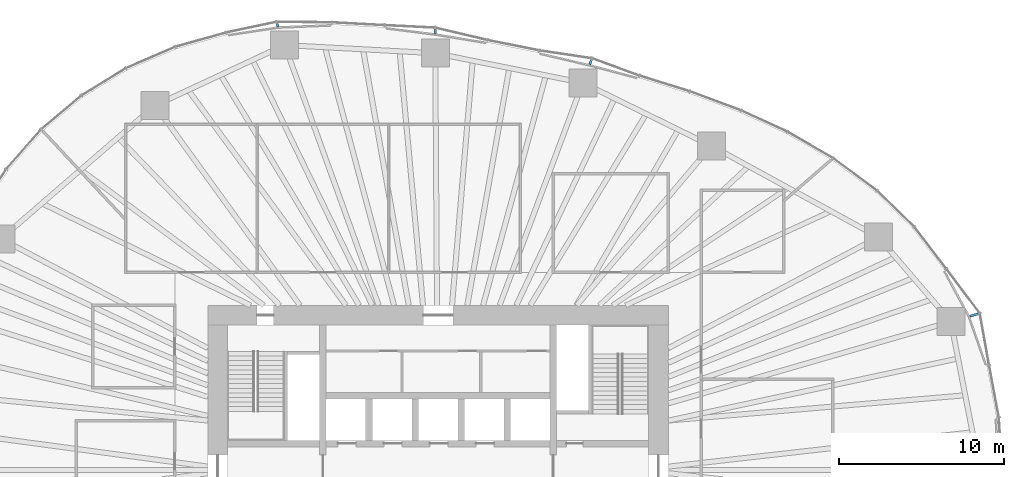
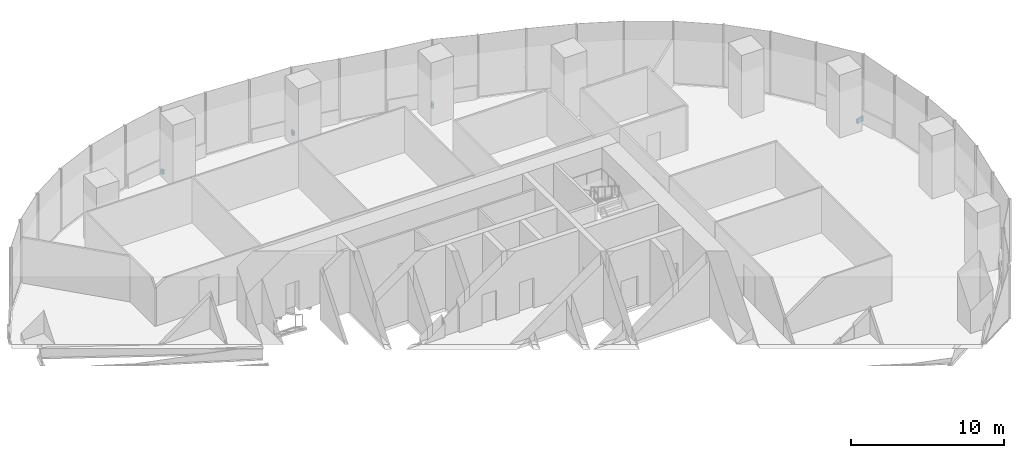
# One storey, part 15 of 20: 4 discrete accessories.
"""IFC4 building model written with IfcOpenShell, lengths in metres."""

from ifc_helpers import new_model, si_unit, direction, frame, origin, origin_2d, place, context, subcontext, project, spatial, rectangle, extrude, material, type_object, element, save


model = new_model("IFC4")

# Units and contexts
model_context = context("Model", 3, precision=1e-05, world=origin(), true_north=direction((0.0, 1.0)))
body_context = subcontext(model_context, "Body", "Model", "MODEL_VIEW")
ifc_project = project(units=[si_unit("LENGTHUNIT", "METRE"), si_unit("AREAUNIT", "SQUARE_METRE"), si_unit("VOLUMEUNIT", "CUBIC_METRE"), si_unit("PLANEANGLEUNIT", "RADIAN"), si_unit("MASSUNIT", "GRAM", prefix="KILO")], contexts=[model_context])

# Site, building, storey
site_placement = place(None, origin())
site = spatial("IfcSite", under=ifc_project, at=site_placement, CompositionType="ELEMENT")
building_placement = place(site_placement, origin())
building = spatial("IfcBuilding", under=site, at=building_placement, Name="Ghaith Harvest Tower", CompositionType="ELEMENT")
storey_placement = place(building_placement, frame((0.0, 0.0, 60.0)))
storey = spatial("IfcBuildingStorey", under=building, at=storey_placement, Name="L12", CompositionType="ELEMENT", Elevation=60.0)

# Discrete accessories
ifc_material_1 = material(Name="Stainless steel grade 1.4401", Category="steel")
discrete_accessory_type_1 = type_object("IfcDiscreteAccessoryType", Name="CURTAIN WALL BRACKET 205", PredefinedType="BRACKET", material=ifc_material_1)
discrete_accessory_1_placement = place(storey_placement, frame((-9.766845703125, 27.04150390625, -0.25), z_axis=(0.0, 0.0, 1.0), x_axis=(-0.339699453402, 0.94053404051, 0.0)))
element("IfcDiscreteAccessory", 1, at=discrete_accessory_1_placement, inside=storey, type_object=discrete_accessory_type_1, Name="CW-F bracket 1 bay 07 L12", PredefinedType="BRACKET", context=body_context, shape_type="SweptSolid", body=[
    extrude(rectangle(XDim=0.205078125, YDim=0.14990234375, at=origin_2d()), origin(), (0.0, 0.0, 1.0), 0.35009765625),
])
ifc_material_2 = material(Name="Stainless steel grade 1.4401", Category="steel")
discrete_accessory_type_2 = type_object("IfcDiscreteAccessoryType", Name="CURTAIN WALL BRACKET 255", PredefinedType="BRACKET", material=ifc_material_2)
discrete_accessory_2_placement = place(storey_placement, frame((-0.182373046875, 26.649658203125, -0.25), z_axis=(0.0, 0.0, 1.0), x_axis=(-0.006843747783, 0.999976581284, 0.0)))
element("IfcDiscreteAccessory", 2, at=discrete_accessory_2_placement, inside=storey, type_object=discrete_accessory_type_2, Name="CW-F bracket 1 bay 06 L12", PredefinedType="BRACKET", context=body_context, shape_type="SweptSolid", body=[
    extrude(rectangle(XDim=0.2548828125, YDim=0.14990234375, at=origin_2d()), origin(), (0.0, 0.0, 1.0), 0.35009765625),
])
ifc_material_3 = material(Name="Stainless steel grade 1.4401", Category="steel")
discrete_accessory_type_3 = type_object("IfcDiscreteAccessoryType", Name="CURTAIN WALL BRACKET 295", PredefinedType="BRACKET", material=ifc_material_3)
discrete_accessory_3_placement = place(storey_placement, frame((9.265380859375, 24.7841796875, -0.25), z_axis=(0.0, 0.0, 1.0), x_axis=(0.35016769709, 0.936687025593, 0.0)))
element("IfcDiscreteAccessory", 3, at=discrete_accessory_3_placement, inside=storey, type_object=discrete_accessory_type_3, Name="CW-F bracket 1 bay 05 L12", PredefinedType="BRACKET", context=body_context, shape_type="SweptSolid", body=[
    extrude(rectangle(XDim=0.294921875, YDim=0.14990234375, at=origin_2d()), origin(), (0.0, 0.0, 1.0), 0.35009765625),
])
ifc_material_4 = material(Name="Stainless steel grade 1.4401", Category="steel")
discrete_accessory_type_4 = type_object("IfcDiscreteAccessoryType", Name="CURTAIN WALL BRACKET 535", PredefinedType="BRACKET", material=ifc_material_4)
discrete_accessory_4_placement = place(storey_placement, frame((32.570556640625, 9.41357421875, -0.25), z_axis=(0.0, 0.0, 1.0), x_axis=(0.960680349985, 0.277656739792, 0.0)))
element("IfcDiscreteAccessory", 4, at=discrete_accessory_4_placement, inside=storey, type_object=discrete_accessory_type_4, Name="CW-F bracket 1 bay 02 L12", PredefinedType="BRACKET", context=body_context, shape_type="SweptSolid", body=[
    extrude(rectangle(XDim=0.534912109375, YDim=0.14990234375, at=origin_2d()), origin(), (0.0, 0.0, 1.0), 0.35009765625),
])

save(model, "model.ifc")
